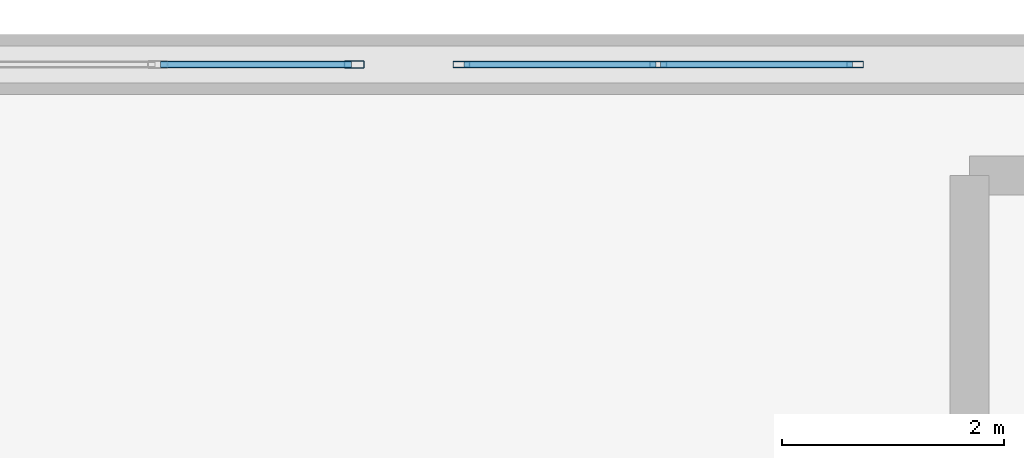
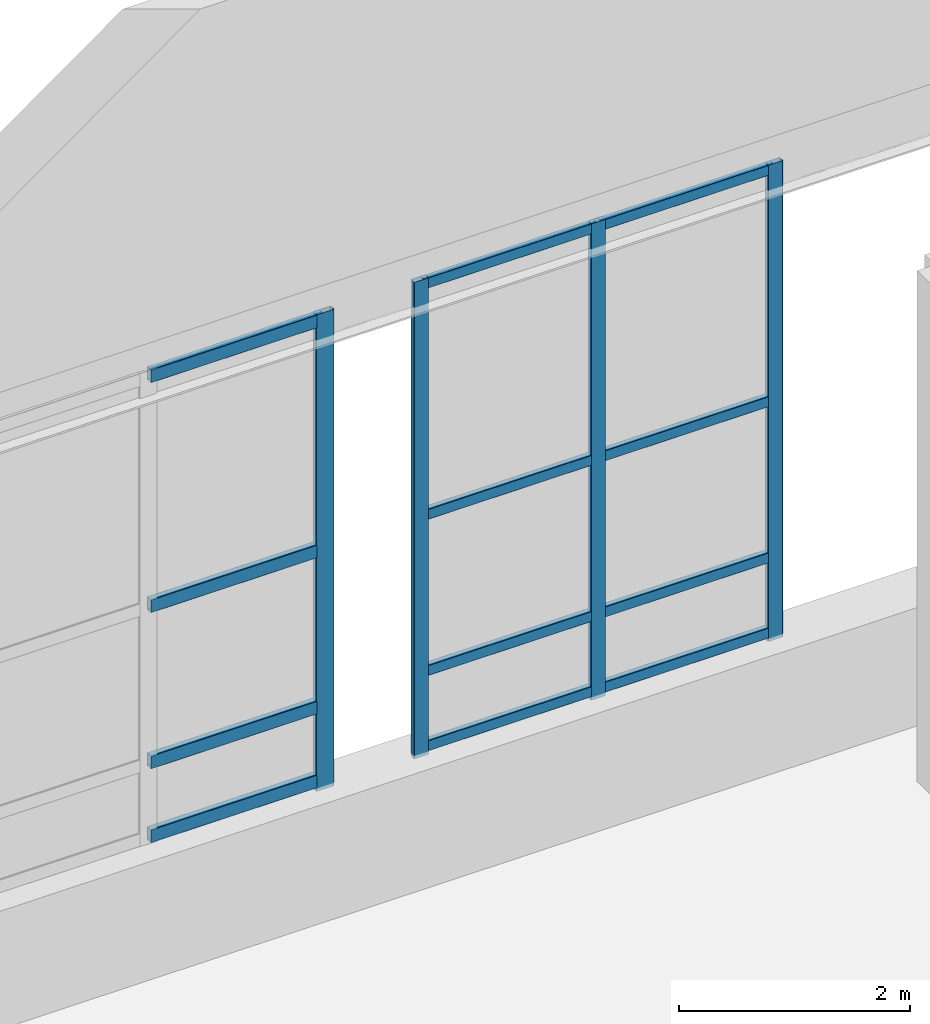
# One storey, part 68 of 97: 16 members, 2 elements without a shape of their own.
"""IFC4 building model written with IfcOpenShell, lengths in metres."""

from ifc_helpers import new_model, si_unit, derived_unit, direction, frame, origin, origin_2d, place, context, subcontext, project, spatial, hollow_rectangle, extrude, material, layer, layer_set, material_profile, profile_set, type_object, element, aggregate, save


model = new_model("IFC4")

# Units and contexts
model_context = context("Model", 3, precision=1e-05, world=origin(), true_north=direction((0.0, 1.0)))
body_context = subcontext(model_context, "Body", "Model", "MODEL_VIEW")
ifc_project = project(units=[si_unit("LENGTHUNIT", "METRE"), si_unit("AREAUNIT", "SQUARE_METRE"), si_unit("VOLUMEUNIT", "CUBIC_METRE"), si_unit("PLANEANGLEUNIT", "RADIAN"), si_unit("MASSUNIT", "GRAM", prefix="KILO"), derived_unit("THERMALTRANSMITTANCEUNIT", [(si_unit("POWERUNIT", "WATT"), 1), (si_unit("LENGTHUNIT", "METRE"), -2), (si_unit("THERMODYNAMICTEMPERATUREUNIT", "KELVIN"), -1)])], contexts=[model_context])

# Site, building, storey
site_placement = place(None, origin())
site = spatial("IfcSite", under=ifc_project, at=site_placement, CompositionType="ELEMENT")
building_placement = place(site_placement, origin())
building = spatial("IfcBuilding", under=site, at=building_placement, Name="Almenara Railside Exhibition Hall", CompositionType="ELEMENT")
storey_placement = place(building_placement, frame((0.0, 0.0, 10.800048828125)))
storey = spatial("IfcBuildingStorey", under=building, at=storey_placement, Name="L02", CompositionType="ELEMENT", Elevation=10.800048828125)

# Curtain wall, members
ifc_material_1 = material(Name="Bronze-anodised aluminium and low-E double glazing", Category="aluminium")
ifc_layer = layer(ifc_material_1, 0.179931640625, Name="Bronze-anodised aluminium and low-E double glazing")
ifc_layer_set = layer_set([ifc_layer], Name="Bronze-anodised aluminium and low-E double glazing")
curtain_wall_type = type_object("IfcCurtainWallType", Name="Scroll Gable Standard Curtain Wall 3600x5000", PredefinedType="NOTDEFINED", material=ifc_layer_set)
curtain_wall_1_placement = place(storey_placement, origin())
curtain_wall_1 = element("IfcCurtainWall", 1, at=curtain_wall_1_placement, inside=storey, type_object=curtain_wall_type, Name="Curtain wall CW-G2-050", PredefinedType="NOTDEFINED")
ifc_material_2 = material(Name="Bronze-anodised aluminium", Category="aluminium")
ifc_material_profile_1 = material_profile(ifc_material_2, hollow_rectangle(XDim=0.06005859375, YDim=0.14990234375, WallThickness=0.00341796875, InnerFilletRadius=0.00341796875, OuterFilletRadius=0.007080078125, at=origin_2d()), Name="ALU-MUL 60x150x3.5")
ifc_profile_set_1 = profile_set([ifc_material_profile_1], Name="Bronze-anodised aluminium")
member_type_1 = type_object("IfcMemberType", Name="Curtain Wall Mullion 60x150x3.5", PredefinedType="MULLION", material=ifc_profile_set_1)
member_1_placement = place(storey_placement, frame((50.22998046875, 132.0, 1.21484375), z_axis=(0.0, 0.0, 1.0), x_axis=(0.0, 1.0, 0.0)))
member_1 = element("IfcMember", 2, at=member_1_placement, type_object=member_type_1, Name="CW-G2-050 mullion 1", PredefinedType="MULLION", context=body_context, shape_type="SweptSolid", body=[
    extrude(hollow_rectangle(XDim=0.06005859375, YDim=0.14990234375, WallThickness=0.00341796875, InnerFilletRadius=0.00341796875, OuterFilletRadius=0.007080078125, at=origin_2d()), origin(), (0.0, 0.0, 1.0), 5.03515625),
])
member_2_placement = place(storey_placement, frame((52.0, 132.0, 1.21484375), z_axis=(0.0, 0.0, 1.0), x_axis=(0.0, 1.0, 0.0)))
member_2 = element("IfcMember", 3, at=member_2_placement, type_object=member_type_1, Name="CW-G2-050 mullion 2", PredefinedType="MULLION", context=body_context, shape_type="SweptSolid", body=[
    extrude(hollow_rectangle(XDim=0.06005859375, YDim=0.14990234375, WallThickness=0.00341796875, InnerFilletRadius=0.00341796875, OuterFilletRadius=0.007080078125, at=origin_2d()), origin(), (0.0, 0.0, 1.0), 5.03515625),
])
member_3_placement = place(storey_placement, frame((53.77001953125, 132.0, 1.21484375), z_axis=(0.0, 0.0, 1.0), x_axis=(0.0, 1.0, 0.0)))
member_3 = element("IfcMember", 4, at=member_3_placement, type_object=member_type_1, Name="CW-G2-050 mullion 3", PredefinedType="MULLION", context=body_context, shape_type="SweptSolid", body=[
    extrude(hollow_rectangle(XDim=0.06005859375, YDim=0.14990234375, WallThickness=0.00341796875, InnerFilletRadius=0.00341796875, OuterFilletRadius=0.007080078125, at=origin_2d()), origin(), (0.0, 0.0, 1.0), 5.03515625),
])

# Curtain wall, member
curtain_wall_2_placement = place(storey_placement, origin())
curtain_wall_2 = element("IfcCurtainWall", 5, at=curtain_wall_2_placement, inside=storey, type_object=curtain_wall_type, Name="Curtain wall CW-G2-049", PredefinedType="NOTDEFINED")
ifc_material_profile_2 = material_profile(ifc_material_2, hollow_rectangle(XDim=0.06494140625, YDim=0.179931640625, WallThickness=0.00390625, InnerFilletRadius=0.00390625, OuterFilletRadius=0.008056640625, at=origin_2d()), Name="ALU-MUL 65x180x4")
ifc_profile_set_2 = profile_set([ifc_material_profile_2], Name="Bronze-anodised aluminium")
member_type_2 = type_object("IfcMemberType", Name="Curtain Wall Mullion 65x180x4", PredefinedType="MULLION", material=ifc_profile_set_2)
member_4_placement = place(storey_placement, frame((49.267578125, 132.0, 1.21484375), z_axis=(0.0, 0.0, 1.0), x_axis=(0.0, 1.0, 0.0)))
member_4 = element("IfcMember", 6, at=member_4_placement, type_object=member_type_2, Name="CW-G2-049 mullion 3", PredefinedType="MULLION", context=body_context, shape_type="SweptSolid", body=[
    extrude(hollow_rectangle(XDim=0.06494140625, YDim=0.179931640625, WallThickness=0.00390625, InnerFilletRadius=0.00390625, OuterFilletRadius=0.008056640625, at=origin_2d()), origin(), (0.0, 0.0, 1.0), 5.03515625),
])

# Member
ifc_material_profile_3 = material_profile(ifc_material_2, hollow_rectangle(XDim=0.06005859375, YDim=0.110107421875, WallThickness=0.0029296875, InnerFilletRadius=0.0029296875, OuterFilletRadius=0.006103515625, at=origin_2d()), Name="ALU-TRN 60x110x3")
ifc_profile_set_3 = profile_set([ifc_material_profile_3], Name="Bronze-anodised aluminium")
member_type_3 = type_object("IfcMemberType", Name="Curtain Wall Transom 60x110x3", PredefinedType="USERDEFINED", material=ifc_profile_set_3)
member_5_placement = place(storey_placement, frame((50.251953125, 132.0, 1.304931640625), z_axis=(1.0, 0.0, 0.0), x_axis=(0.0, 1.0, 0.0)))
member_5 = element("IfcMember", 7, at=member_5_placement, type_object=member_type_3, Name="CW-G2-050 transom 1.1", ObjectType="TRANSOM", PredefinedType="USERDEFINED", context=body_context, shape_type="SweptSolid", body=[
    extrude(hollow_rectangle(XDim=0.06005859375, YDim=0.110107421875, WallThickness=0.0029296875, InnerFilletRadius=0.0029296875, OuterFilletRadius=0.006103515625, at=origin_2d()), origin(), (0.0, 0.0, 1.0), 1.72607421875),
])

member_6_placement = place(storey_placement, frame((50.251953125, 132.0, 2.099853515625), z_axis=(1.0, 0.0, 0.0), x_axis=(0.0, 1.0, 0.0)))
member_6 = element("IfcMember", 8, at=member_6_placement, type_object=member_type_3, Name="CW-G2-050 transom 1.2", ObjectType="TRANSOM", PredefinedType="USERDEFINED", context=body_context, shape_type="SweptSolid", body=[
    extrude(hollow_rectangle(XDim=0.06005859375, YDim=0.110107421875, WallThickness=0.0029296875, InnerFilletRadius=0.0029296875, OuterFilletRadius=0.006103515625, at=origin_2d()), origin(), (0.0, 0.0, 1.0), 1.72607421875),
])

member_7_placement = place(storey_placement, frame((50.251953125, 132.0, 3.75), z_axis=(1.0, 0.0, 0.0), x_axis=(0.0, 1.0, 0.0)))
member_7 = element("IfcMember", 9, at=member_7_placement, type_object=member_type_3, Name="CW-G2-050 transom 1.3", ObjectType="TRANSOM", PredefinedType="USERDEFINED", context=body_context, shape_type="SweptSolid", body=[
    extrude(hollow_rectangle(XDim=0.06005859375, YDim=0.110107421875, WallThickness=0.0029296875, InnerFilletRadius=0.0029296875, OuterFilletRadius=0.006103515625, at=origin_2d()), origin(), (0.0, 0.0, 1.0), 1.72607421875),
])

member_8_placement = place(storey_placement, frame((50.251953125, 132.0, 6.195068359375), z_axis=(1.0, 0.0, 0.0), x_axis=(0.0, 1.0, 0.0)))
member_8 = element("IfcMember", 10, at=member_8_placement, type_object=member_type_3, Name="CW-G2-050 transom 1.4", ObjectType="TRANSOM", PredefinedType="USERDEFINED", context=body_context, shape_type="SweptSolid", body=[
    extrude(hollow_rectangle(XDim=0.06005859375, YDim=0.110107421875, WallThickness=0.0029296875, InnerFilletRadius=0.0029296875, OuterFilletRadius=0.006103515625, at=origin_2d()), origin(), (0.0, 0.0, 1.0), 1.72607421875),
])

member_9_placement = place(storey_placement, frame((52.02197265625, 132.0, 1.304931640625), z_axis=(1.0, 0.0, 0.0), x_axis=(0.0, 1.0, 0.0)))
member_9 = element("IfcMember", 11, at=member_9_placement, type_object=member_type_3, Name="CW-G2-050 transom 2.1", ObjectType="TRANSOM", PredefinedType="USERDEFINED", context=body_context, shape_type="SweptSolid", body=[
    extrude(hollow_rectangle(XDim=0.06005859375, YDim=0.110107421875, WallThickness=0.0029296875, InnerFilletRadius=0.0029296875, OuterFilletRadius=0.006103515625, at=origin_2d()), origin(), (0.0, 0.0, 1.0), 1.72607421875),
])

member_10_placement = place(storey_placement, frame((52.02197265625, 132.0, 2.099853515625), z_axis=(1.0, 0.0, 0.0), x_axis=(0.0, 1.0, 0.0)))
member_10 = element("IfcMember", 12, at=member_10_placement, type_object=member_type_3, Name="CW-G2-050 transom 2.2", ObjectType="TRANSOM", PredefinedType="USERDEFINED", context=body_context, shape_type="SweptSolid", body=[
    extrude(hollow_rectangle(XDim=0.06005859375, YDim=0.110107421875, WallThickness=0.0029296875, InnerFilletRadius=0.0029296875, OuterFilletRadius=0.006103515625, at=origin_2d()), origin(), (0.0, 0.0, 1.0), 1.72607421875),
])

member_11_placement = place(storey_placement, frame((52.02197265625, 132.0, 3.75), z_axis=(1.0, 0.0, 0.0), x_axis=(0.0, 1.0, 0.0)))
member_11 = element("IfcMember", 13, at=member_11_placement, type_object=member_type_3, Name="CW-G2-050 transom 2.3", ObjectType="TRANSOM", PredefinedType="USERDEFINED", context=body_context, shape_type="SweptSolid", body=[
    extrude(hollow_rectangle(XDim=0.06005859375, YDim=0.110107421875, WallThickness=0.0029296875, InnerFilletRadius=0.0029296875, OuterFilletRadius=0.006103515625, at=origin_2d()), origin(), (0.0, 0.0, 1.0), 1.72607421875),
])

member_12_placement = place(storey_placement, frame((52.02197265625, 132.0, 6.195068359375), z_axis=(1.0, 0.0, 0.0), x_axis=(0.0, 1.0, 0.0)))
member_12 = element("IfcMember", 14, at=member_12_placement, type_object=member_type_3, Name="CW-G2-050 transom 2.4", ObjectType="TRANSOM", PredefinedType="USERDEFINED", context=body_context, shape_type="SweptSolid", body=[
    extrude(hollow_rectangle(XDim=0.06005859375, YDim=0.110107421875, WallThickness=0.0029296875, InnerFilletRadius=0.0029296875, OuterFilletRadius=0.006103515625, at=origin_2d()), origin(), (0.0, 0.0, 1.0), 1.72607421875),
])

aggregate(curtain_wall_1, [member_1, member_2, member_3, member_5, member_6, member_7, member_8, member_9, member_10, member_11, member_12])

ifc_material_profile_4 = material_profile(ifc_material_2, hollow_rectangle(XDim=0.06494140625, YDim=0.139892578125, WallThickness=0.00341796875, InnerFilletRadius=0.00341796875, OuterFilletRadius=0.007080078125, at=origin_2d()), Name="ALU-TRN 65x140x3.5")
ifc_profile_set_4 = profile_set([ifc_material_profile_4], Name="Bronze-anodised aluminium")
member_type_4 = type_object("IfcMemberType", Name="Curtain Wall Transom 65x140x3.5", PredefinedType="USERDEFINED", material=ifc_profile_set_4)
member_13_placement = place(storey_placement, frame((47.5244140625, 132.0, 1.320068359375), z_axis=(1.0, 0.0, 0.0), x_axis=(0.0, 1.0, 0.0)))
member_13 = element("IfcMember", 15, at=member_13_placement, type_object=member_type_4, Name="CW-G2-049 transom 2.1", ObjectType="TRANSOM", PredefinedType="USERDEFINED", context=body_context, shape_type="SweptSolid", body=[
    extrude(hollow_rectangle(XDim=0.06494140625, YDim=0.139892578125, WallThickness=0.00341796875, InnerFilletRadius=0.00341796875, OuterFilletRadius=0.007080078125, at=origin_2d()), origin(), (0.0, 0.0, 1.0), 1.718505859375),
])

member_14_placement = place(storey_placement, frame((47.5244140625, 132.0, 2.099853515625), z_axis=(1.0, 0.0, 0.0), x_axis=(0.0, 1.0, 0.0)))
member_14 = element("IfcMember", 16, at=member_14_placement, type_object=member_type_4, Name="CW-G2-049 transom 2.2", ObjectType="TRANSOM", PredefinedType="USERDEFINED", context=body_context, shape_type="SweptSolid", body=[
    extrude(hollow_rectangle(XDim=0.06494140625, YDim=0.139892578125, WallThickness=0.00341796875, InnerFilletRadius=0.00341796875, OuterFilletRadius=0.007080078125, at=origin_2d()), origin(), (0.0, 0.0, 1.0), 1.718505859375),
])

member_15_placement = place(storey_placement, frame((47.5244140625, 132.0, 3.75), z_axis=(1.0, 0.0, 0.0), x_axis=(0.0, 1.0, 0.0)))
member_15 = element("IfcMember", 17, at=member_15_placement, type_object=member_type_4, Name="CW-G2-049 transom 2.3", ObjectType="TRANSOM", PredefinedType="USERDEFINED", context=body_context, shape_type="SweptSolid", body=[
    extrude(hollow_rectangle(XDim=0.06494140625, YDim=0.139892578125, WallThickness=0.00341796875, InnerFilletRadius=0.00341796875, OuterFilletRadius=0.007080078125, at=origin_2d()), origin(), (0.0, 0.0, 1.0), 1.718505859375),
])

member_16_placement = place(storey_placement, frame((47.5244140625, 132.0, 6.179931640625), z_axis=(1.0, 0.0, 0.0), x_axis=(0.0, 1.0, 0.0)))
member_16 = element("IfcMember", 18, at=member_16_placement, type_object=member_type_4, Name="CW-G2-049 transom 2.4", ObjectType="TRANSOM", PredefinedType="USERDEFINED", context=body_context, shape_type="SweptSolid", body=[
    extrude(hollow_rectangle(XDim=0.06494140625, YDim=0.139892578125, WallThickness=0.00341796875, InnerFilletRadius=0.00341796875, OuterFilletRadius=0.007080078125, at=origin_2d()), origin(), (0.0, 0.0, 1.0), 1.718505859375),
])

aggregate(curtain_wall_2, [member_4, member_13, member_14, member_15, member_16])

save(model, "model.ifc")
